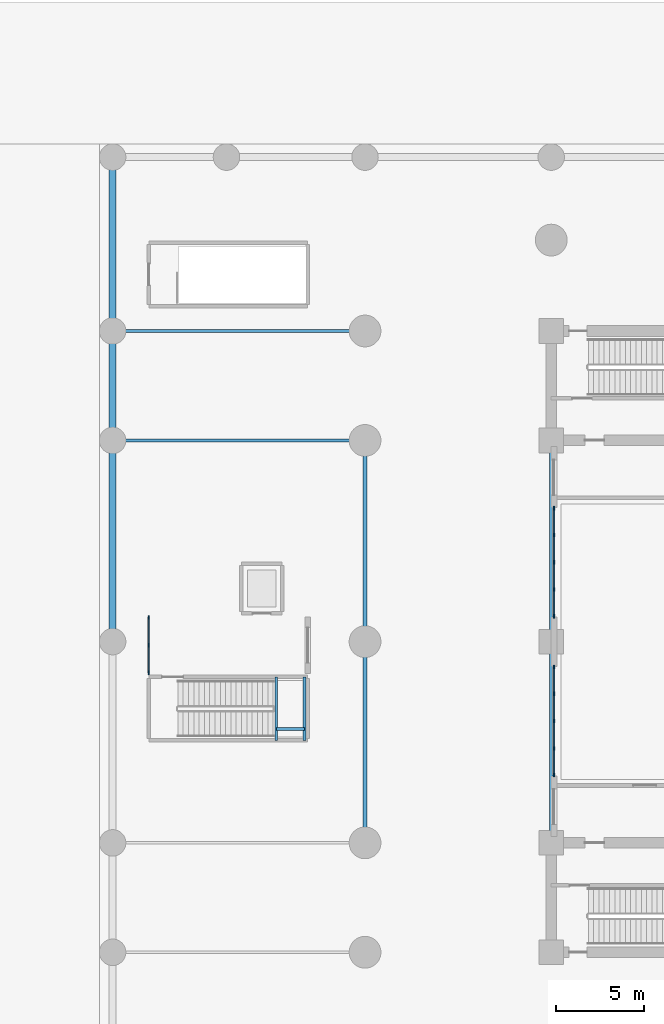
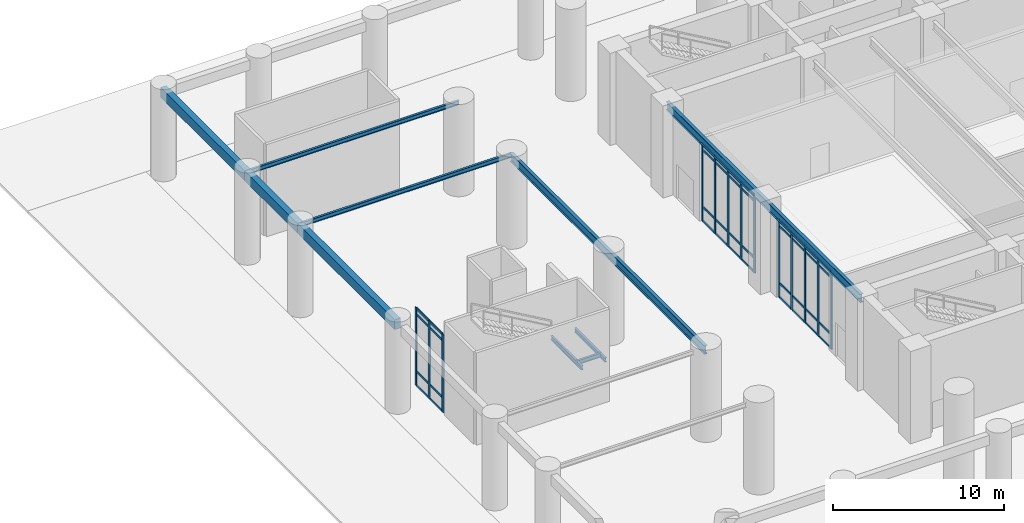
# One storey, part 2 of 16: 53 members, 10 beams, 3 elements without a shape of their own.
"""IFC4 building model written with IfcOpenShell, lengths in metres."""

from ifc_helpers import new_model, si_unit, direction, frame, origin, origin_2d, place, context, subcontext, project, spatial, rectangle, i_section, extrude, material, material_profile, profile_set, type_object, element, aggregate, save


model = new_model("IFC4")

# Units and contexts
model_context = context("Model", 3, precision=1e-05, world=origin(), true_north=direction((0.0, 1.0)))
body_context = subcontext(model_context, "Body", "Model", "MODEL_VIEW")
ifc_project = project(units=[si_unit("LENGTHUNIT", "METRE"), si_unit("AREAUNIT", "SQUARE_METRE"), si_unit("VOLUMEUNIT", "CUBIC_METRE"), si_unit("PLANEANGLEUNIT", "RADIAN"), si_unit("MASSUNIT", "GRAM", prefix="KILO")], contexts=[model_context])

# Site, building, storey
site_placement = place(None, origin())
site = spatial("IfcSite", under=ifc_project, at=site_placement, CompositionType="ELEMENT")
building_placement = place(site_placement, origin())
building = spatial("IfcBuilding", under=site, at=building_placement, Name="Svetorya Sky Lyceum", CompositionType="ELEMENT")
storey_placement = place(building_placement, origin())
storey = spatial("IfcBuildingStorey", under=building, at=storey_placement, Name="L00", CompositionType="ELEMENT", Elevation=0.0)

# Beams
ifc_material_1 = material(Name="Concrete C50/60", Category="concrete")
ifc_material_profile_1 = material_profile(ifc_material_1, rectangle(XDim=0.39990234375, YDim=0.699951171875, at=origin_2d()), Name="RC SPANDREL 400x700")
ifc_profile_set_1 = profile_set([ifc_material_profile_1], Name="Concrete C50/60")
beam_type_1 = type_object("IfcBeamType", Name="BM-SPN-700", PredefinedType="SPANDREL", material=ifc_profile_set_1)
beam_1_placement = place(storey_placement, frame((0.75, 28.199951171875, 5.949951171875), z_axis=(0.0, 1.0, 0.0), x_axis=(-1.0, 0.0, 0.0)))
element("IfcBeam", 1, at=beam_1_placement, inside=storey, type_object=beam_type_1, Name="L00 Podium West Spandrel 4", PredefinedType="SPANDREL", context=body_context, shape_type="SweptSolid", body=[
    extrude(rectangle(XDim=0.39990234375, YDim=0.699951171875, at=origin_2d()), origin(), (0.0, 0.0, 1.0), 11.400146484375),
])
beam_2_placement = place(storey_placement, frame((0.75, 39.60009765625, 5.949951171875), z_axis=(0.0, 1.0, 0.0), x_axis=(-1.0, 0.0, 0.0)))
element("IfcBeam", 2, at=beam_2_placement, inside=storey, type_object=beam_type_1, Name="L00 Podium West Spandrel 5", PredefinedType="SPANDREL", context=body_context, shape_type="SweptSolid", body=[
    extrude(rectangle(XDim=0.39990234375, YDim=0.699951171875, at=origin_2d()), origin(), (0.0, 0.0, 1.0), 6.199951171875),
])
beam_3_placement = place(storey_placement, frame((0.75, 45.800048828125, 5.949951171875), z_axis=(0.0, 1.0, 0.0), x_axis=(-1.0, 0.0, 0.0)))
element("IfcBeam", 3, at=beam_3_placement, inside=storey, type_object=beam_type_1, Name="L00 Podium West Spandrel 6", PredefinedType="SPANDREL", context=body_context, shape_type="SweptSolid", body=[
    extrude(rectangle(XDim=0.39990234375, YDim=0.699951171875, at=origin_2d()), origin(), (0.0, 0.0, 1.0), 9.849853515625),
])
ifc_material_2 = material(Name="Steel S355", Category="steel")
ifc_material_profile_2 = material_profile(ifc_material_2, i_section(OverallWidth=0.14990234375, OverallDepth=0.299072265625, WebThickness=0.006591796875, FlangeThickness=0.010498046875, at=origin_2d()), Name="GOST 30B2")
ifc_profile_set_2 = profile_set([ifc_material_profile_2], Name="Steel S355")
beam_type_2 = type_object("IfcBeamType", Name="BM-STL-30B2", PredefinedType="JOIST", material=ifc_profile_set_2)
for number, where, z_axis, x_axis, name in (
    (4, (0.75, 39.60009765625, 6.150390625), (1.0, 0.0, 0.0), (0.0, 1.0, 0.0), "L00 Podium Wing Joist W3"),
    (5, (0.75, 45.800048828125, 6.150390625), (1.0, 0.0, 0.0), (0.0, 1.0, 0.0), "L00 Podium Wing Joist W4"),
):
    element("IfcBeam", number, at=place(storey_placement, frame(where, z_axis=z_axis, x_axis=x_axis)), inside=storey, type_object=beam_type_2, Name=name, PredefinedType="JOIST", context=body_context, shape_type="SweptSolid", body=[
        extrude(i_section(OverallWidth=0.14990234375, OverallDepth=0.299072265625, WebThickness=0.006591796875, FlangeThickness=0.010498046875, at=origin_2d()), origin(), (0.0, 0.0, 1.0), 14.300048828125),
    ])
for number, where, z_axis, x_axis, name in (
    (6, (10.030029296875, 22.60009765625, 2.950439453125), (0.0, 1.0, 0.0), (-1.0, 0.0, 0.0), "L00 Stair ST-SCH-W Half-Landing Support Beam 1.1"),
    (7, (11.6201171875, 22.60009765625, 2.950439453125), (0.0, 1.0, 0.0), (-1.0, 0.0, 0.0), "L00 Stair ST-SCH-W Half-Landing Support Beam 1.2"),
):
    element("IfcBeam", number, at=place(storey_placement, frame(where, z_axis=z_axis, x_axis=x_axis)), inside=storey, type_object=beam_type_2, Name=name, PredefinedType="JOIST", context=body_context, shape_type="SweptSolid", body=[
        extrude(i_section(OverallWidth=0.14990234375, OverallDepth=0.299072265625, WebThickness=0.006591796875, FlangeThickness=0.010498046875, at=origin_2d()), origin(), (0.0, 0.0, 1.0), 3.599853515625),
    ])
beam_4_placement = place(storey_placement, frame((10.030029296875, 23.25, 2.950439453125), z_axis=(1.0, 0.0, 0.0), x_axis=(0.0, 1.0, 0.0)))
element("IfcBeam", 8, at=beam_4_placement, inside=storey, type_object=beam_type_2, Name="L00 Stair ST-SCH-W Half-Landing Cross Tie 1", PredefinedType="JOIST", context=body_context, shape_type="SweptSolid", body=[
    extrude(i_section(OverallWidth=0.14990234375, OverallDepth=0.299072265625, WebThickness=0.006591796875, FlangeThickness=0.010498046875, at=origin_2d()), origin(), (0.0, 0.0, 1.0), 1.590087890625),
])
ifc_material_profile_3 = material_profile(ifc_material_2, i_section(OverallWidth=0.215087890625, OverallDepth=0.60009765625, WebThickness=0.011962890625, FlangeThickness=0.01904296875, at=origin_2d()), Name="GOST 60B2")
ifc_profile_set_3 = profile_set([ifc_material_profile_3], Name="Steel S355")
beam_type_3 = type_object("IfcBeamType", Name="BM-STL-60B2", PredefinedType="BEAM", material=ifc_profile_set_3)
for number, where, z_axis, x_axis, name in (
    (9, (15.050048828125, 16.800048828125, 6.0), (0.0, 1.0, 0.0), (-1.0, 0.0, 0.0), "L00 Lyceum Hall Steel Girder HG-1"),
    (10, (25.60009765625, 16.800048828125, 6.0), (0.0, 1.0, 0.0), (-1.0, 0.0, 0.0), "L00 Lyceum Hall Steel Girder HG-2"),
):
    element("IfcBeam", number, at=place(storey_placement, frame(where, z_axis=z_axis, x_axis=x_axis)), inside=storey, type_object=beam_type_3, Name=name, PredefinedType="BEAM", context=body_context, shape_type="SweptSolid", body=[
        extrude(i_section(OverallWidth=0.215087890625, OverallDepth=0.60009765625, WebThickness=0.011962890625, FlangeThickness=0.01904296875, at=origin_2d()), origin(), (0.0, 0.0, 1.0), 22.800048828125),
    ])

# Curtain wall, members
ifc_material_3 = material(Name="Thermally broken anodized aluminium and triple low-E glass", Category="aluminium")
curtain_wall_type = type_object("IfcCurtainWallType", Name="CW1-POD-FOY", PredefinedType="NOTDEFINED", material=ifc_material_3)
curtain_wall_1_placement = place(storey_placement, origin())
curtain_wall_1 = element("IfcCurtainWall", 11, at=curtain_wall_1_placement, inside=storey, type_object=curtain_wall_type, Name="Pilotis Foyer Curtain Wall CW-1.W1", PredefinedType="NOTDEFINED")
ifc_material_4 = material(Name="Thermally broken anodized aluminium EN AW-6060", Category="aluminium")
ifc_material_profile_4 = material_profile(ifc_material_4, rectangle(XDim=0.074951171875, YDim=0.2099609375, at=origin_2d()), Name="ALU MULLION 75x210")
ifc_profile_set_4 = profile_set([ifc_material_profile_4], Name="Thermally broken anodized aluminium EN AW-6060")
member_type_1 = type_object("IfcMemberType", Name="CWM-MUL-210", PredefinedType="MULLION", material=ifc_profile_set_4)
member_1_placement = place(storey_placement, frame((25.75, 20.637451171875, 0.0), z_axis=(0.0, 0.0, 1.0), x_axis=(-1.0, 0.0, 0.0)))
member_1 = element("IfcMember", 12, at=member_1_placement, type_object=member_type_1, Name="CW-1 mullion 1", PredefinedType="MULLION", context=body_context, shape_type="SweptSolid", body=[
    extrude(rectangle(XDim=0.074951171875, YDim=0.2099609375, at=origin_2d()), origin(), (0.0, 0.0, 1.0), 5.580078125),
])
member_2_placement = place(storey_placement, frame((25.75, 22.14990234375, 0.0), z_axis=(0.0, 0.0, 1.0), x_axis=(-1.0, 0.0, 0.0)))
member_2 = element("IfcMember", 13, at=member_2_placement, type_object=member_type_1, Name="CW-1 mullion 2", PredefinedType="MULLION", context=body_context, shape_type="SweptSolid", body=[
    extrude(rectangle(XDim=0.074951171875, YDim=0.2099609375, at=origin_2d()), origin(), (0.0, 0.0, 1.0), 5.580078125),
])
member_3_placement = place(storey_placement, frame((25.75, 23.699951171875, 0.0), z_axis=(0.0, 0.0, 1.0), x_axis=(-1.0, 0.0, 0.0)))
member_3 = element("IfcMember", 14, at=member_3_placement, type_object=member_type_1, Name="CW-1 mullion 3", PredefinedType="MULLION", context=body_context, shape_type="SweptSolid", body=[
    extrude(rectangle(XDim=0.074951171875, YDim=0.2099609375, at=origin_2d()), origin(), (0.0, 0.0, 1.0), 5.580078125),
])
member_4_placement = place(storey_placement, frame((25.75, 25.25, 0.0), z_axis=(0.0, 0.0, 1.0), x_axis=(-1.0, 0.0, 0.0)))
member_4 = element("IfcMember", 15, at=member_4_placement, type_object=member_type_1, Name="CW-1 mullion 4", PredefinedType="MULLION", context=body_context, shape_type="SweptSolid", body=[
    extrude(rectangle(XDim=0.074951171875, YDim=0.2099609375, at=origin_2d()), origin(), (0.0, 0.0, 1.0), 5.580078125),
])
member_5_placement = place(storey_placement, frame((25.75, 26.762451171875, 0.0), z_axis=(0.0, 0.0, 1.0), x_axis=(-1.0, 0.0, 0.0)))
member_5 = element("IfcMember", 16, at=member_5_placement, type_object=member_type_1, Name="CW-1 mullion 5", PredefinedType="MULLION", context=body_context, shape_type="SweptSolid", body=[
    extrude(rectangle(XDim=0.074951171875, YDim=0.2099609375, at=origin_2d()), origin(), (0.0, 0.0, 1.0), 5.580078125),
])

curtain_wall_2_placement = place(storey_placement, origin())
curtain_wall_2 = element("IfcCurtainWall", 17, at=curtain_wall_2_placement, inside=storey, type_object=curtain_wall_type, Name="Pilotis Foyer Curtain Wall CW-1.W2", PredefinedType="NOTDEFINED")
member_6_placement = place(storey_placement, frame((25.75, 29.637451171875, 0.0), z_axis=(0.0, 0.0, 1.0), x_axis=(-1.0, 0.0, 0.0)))
member_6 = element("IfcMember", 18, at=member_6_placement, type_object=member_type_1, Name="CW-1 mullion 1", PredefinedType="MULLION", context=body_context, shape_type="SweptSolid", body=[
    extrude(rectangle(XDim=0.074951171875, YDim=0.2099609375, at=origin_2d()), origin(), (0.0, 0.0, 1.0), 5.580078125),
])
member_7_placement = place(storey_placement, frame((25.75, 31.14990234375, 0.0), z_axis=(0.0, 0.0, 1.0), x_axis=(-1.0, 0.0, 0.0)))
member_7 = element("IfcMember", 19, at=member_7_placement, type_object=member_type_1, Name="CW-1 mullion 2", PredefinedType="MULLION", context=body_context, shape_type="SweptSolid", body=[
    extrude(rectangle(XDim=0.074951171875, YDim=0.2099609375, at=origin_2d()), origin(), (0.0, 0.0, 1.0), 5.580078125),
])
member_8_placement = place(storey_placement, frame((25.75, 32.699951171875, 0.0), z_axis=(0.0, 0.0, 1.0), x_axis=(-1.0, 0.0, 0.0)))
member_8 = element("IfcMember", 20, at=member_8_placement, type_object=member_type_1, Name="CW-1 mullion 3", PredefinedType="MULLION", context=body_context, shape_type="SweptSolid", body=[
    extrude(rectangle(XDim=0.074951171875, YDim=0.2099609375, at=origin_2d()), origin(), (0.0, 0.0, 1.0), 5.580078125),
])
member_9_placement = place(storey_placement, frame((25.75, 34.25, 0.0), z_axis=(0.0, 0.0, 1.0), x_axis=(-1.0, 0.0, 0.0)))
member_9 = element("IfcMember", 21, at=member_9_placement, type_object=member_type_1, Name="CW-1 mullion 4", PredefinedType="MULLION", context=body_context, shape_type="SweptSolid", body=[
    extrude(rectangle(XDim=0.074951171875, YDim=0.2099609375, at=origin_2d()), origin(), (0.0, 0.0, 1.0), 5.580078125),
])
member_10_placement = place(storey_placement, frame((25.75, 35.762451171875, 0.0), z_axis=(0.0, 0.0, 1.0), x_axis=(-1.0, 0.0, 0.0)))
member_10 = element("IfcMember", 22, at=member_10_placement, type_object=member_type_1, Name="CW-1 mullion 5", PredefinedType="MULLION", context=body_context, shape_type="SweptSolid", body=[
    extrude(rectangle(XDim=0.074951171875, YDim=0.2099609375, at=origin_2d()), origin(), (0.0, 0.0, 1.0), 5.580078125),
])

curtain_wall_3_placement = place(storey_placement, origin())
curtain_wall_3 = element("IfcCurtainWall", 23, at=curtain_wall_3_placement, inside=storey, type_object=curtain_wall_type, Name="Lyceum Ground Vestibule Curtain Wall W", PredefinedType="NOTDEFINED")
member_11_placement = place(storey_placement, frame((2.800048828125, 26.4375, 0.0), z_axis=(0.0, 0.0, 1.0), x_axis=(-1.0, 0.0, 0.0)))
member_11 = element("IfcMember", 24, at=member_11_placement, type_object=member_type_1, Name="CW-1 mullion 1", PredefinedType="MULLION", context=body_context, shape_type="SweptSolid", body=[
    extrude(rectangle(XDim=0.074951171875, YDim=0.2099609375, at=origin_2d()), origin(), (0.0, 0.0, 1.0), 5.580078125),
])
member_12_placement = place(storey_placement, frame((2.800048828125, 28.0, 0.0), z_axis=(0.0, 0.0, 1.0), x_axis=(-1.0, 0.0, 0.0)))
member_12 = element("IfcMember", 25, at=member_12_placement, type_object=member_type_1, Name="CW-1 mullion 2", PredefinedType="MULLION", context=body_context, shape_type="SweptSolid", body=[
    extrude(rectangle(XDim=0.074951171875, YDim=0.2099609375, at=origin_2d()), origin(), (0.0, 0.0, 1.0), 5.580078125),
])
member_13_placement = place(storey_placement, frame((2.800048828125, 29.5625, 0.0), z_axis=(0.0, 0.0, 1.0), x_axis=(-1.0, 0.0, 0.0)))
member_13 = element("IfcMember", 26, at=member_13_placement, type_object=member_type_1, Name="CW-1 mullion 3", PredefinedType="MULLION", context=body_context, shape_type="SweptSolid", body=[
    extrude(rectangle(XDim=0.074951171875, YDim=0.2099609375, at=origin_2d()), origin(), (0.0, 0.0, 1.0), 5.580078125),
])

# Member
ifc_material_profile_5 = material_profile(ifc_material_4, rectangle(XDim=0.074951171875, YDim=0.159912109375, at=origin_2d()), Name="ALU TRANSOM 75x160")
ifc_profile_set_5 = profile_set([ifc_material_profile_5], Name="Thermally broken anodized aluminium EN AW-6060")
member_type_2 = type_object("IfcMemberType", Name="CWM-TRN-160", PredefinedType="USERDEFINED", material=ifc_profile_set_5)
member_14_placement = place(storey_placement, frame((25.75, 20.673583984375, 0.03759765625), z_axis=(0.0, 1.0, 0.0), x_axis=(-1.0, 0.0, 0.0)))
member_14 = element("IfcMember", 27, at=member_14_placement, type_object=member_type_2, Name="CW-1 transom 1.1", ObjectType="TRANSOM", PredefinedType="USERDEFINED", context=body_context, shape_type="SweptSolid", body=[
    extrude(rectangle(XDim=0.074951171875, YDim=0.159912109375, at=origin_2d()), origin(), (0.0, 0.0, 1.0), 1.4404296875),
])

member_15_placement = place(storey_placement, frame((25.75, 20.673583984375, 1.050048828125), z_axis=(0.0, 1.0, 0.0), x_axis=(-1.0, 0.0, 0.0)))
member_15 = element("IfcMember", 28, at=member_15_placement, type_object=member_type_2, Name="CW-1 transom 1.2", ObjectType="TRANSOM", PredefinedType="USERDEFINED", context=body_context, shape_type="SweptSolid", body=[
    extrude(rectangle(XDim=0.074951171875, YDim=0.159912109375, at=origin_2d()), origin(), (0.0, 0.0, 1.0), 1.4404296875),
])

member_16_placement = place(storey_placement, frame((25.75, 20.673583984375, 5.1298828125), z_axis=(0.0, 1.0, 0.0), x_axis=(-1.0, 0.0, 0.0)))
member_16 = element("IfcMember", 29, at=member_16_placement, type_object=member_type_2, Name="CW-1 transom 1.3", ObjectType="TRANSOM", PredefinedType="USERDEFINED", context=body_context, shape_type="SweptSolid", body=[
    extrude(rectangle(XDim=0.074951171875, YDim=0.159912109375, at=origin_2d()), origin(), (0.0, 0.0, 1.0), 1.4404296875),
])

member_17_placement = place(storey_placement, frame((25.75, 20.673583984375, 5.54248046875), z_axis=(0.0, 1.0, 0.0), x_axis=(-1.0, 0.0, 0.0)))
member_17 = element("IfcMember", 30, at=member_17_placement, type_object=member_type_2, Name="CW-1 transom 1.4", ObjectType="TRANSOM", PredefinedType="USERDEFINED", context=body_context, shape_type="SweptSolid", body=[
    extrude(rectangle(XDim=0.074951171875, YDim=0.159912109375, at=origin_2d()), origin(), (0.0, 0.0, 1.0), 1.4404296875),
])

member_18_placement = place(storey_placement, frame((25.75, 22.18603515625, 0.03759765625), z_axis=(0.0, 1.0, 0.0), x_axis=(-1.0, 0.0, 0.0)))
member_18 = element("IfcMember", 31, at=member_18_placement, type_object=member_type_2, Name="CW-1 transom 2.1", ObjectType="TRANSOM", PredefinedType="USERDEFINED", context=body_context, shape_type="SweptSolid", body=[
    extrude(rectangle(XDim=0.074951171875, YDim=0.159912109375, at=origin_2d()), origin(), (0.0, 0.0, 1.0), 1.47802734375),
])

member_19_placement = place(storey_placement, frame((25.75, 22.18603515625, 1.050048828125), z_axis=(0.0, 1.0, 0.0), x_axis=(-1.0, 0.0, 0.0)))
member_19 = element("IfcMember", 32, at=member_19_placement, type_object=member_type_2, Name="CW-1 transom 2.2", ObjectType="TRANSOM", PredefinedType="USERDEFINED", context=body_context, shape_type="SweptSolid", body=[
    extrude(rectangle(XDim=0.074951171875, YDim=0.159912109375, at=origin_2d()), origin(), (0.0, 0.0, 1.0), 1.47802734375),
])

member_20_placement = place(storey_placement, frame((25.75, 22.18603515625, 5.1298828125), z_axis=(0.0, 1.0, 0.0), x_axis=(-1.0, 0.0, 0.0)))
member_20 = element("IfcMember", 33, at=member_20_placement, type_object=member_type_2, Name="CW-1 transom 2.3", ObjectType="TRANSOM", PredefinedType="USERDEFINED", context=body_context, shape_type="SweptSolid", body=[
    extrude(rectangle(XDim=0.074951171875, YDim=0.159912109375, at=origin_2d()), origin(), (0.0, 0.0, 1.0), 1.47802734375),
])

member_21_placement = place(storey_placement, frame((25.75, 22.18603515625, 5.54248046875), z_axis=(0.0, 1.0, 0.0), x_axis=(-1.0, 0.0, 0.0)))
member_21 = element("IfcMember", 34, at=member_21_placement, type_object=member_type_2, Name="CW-1 transom 2.4", ObjectType="TRANSOM", PredefinedType="USERDEFINED", context=body_context, shape_type="SweptSolid", body=[
    extrude(rectangle(XDim=0.074951171875, YDim=0.159912109375, at=origin_2d()), origin(), (0.0, 0.0, 1.0), 1.47802734375),
])

member_22_placement = place(storey_placement, frame((25.75, 23.736083984375, 0.03759765625), z_axis=(0.0, 1.0, 0.0), x_axis=(-1.0, 0.0, 0.0)))
member_22 = element("IfcMember", 35, at=member_22_placement, type_object=member_type_2, Name="CW-1 transom 3.1", ObjectType="TRANSOM", PredefinedType="USERDEFINED", context=body_context, shape_type="SweptSolid", body=[
    extrude(rectangle(XDim=0.074951171875, YDim=0.159912109375, at=origin_2d()), origin(), (0.0, 0.0, 1.0), 1.47802734375),
])

member_23_placement = place(storey_placement, frame((25.75, 23.736083984375, 1.050048828125), z_axis=(0.0, 1.0, 0.0), x_axis=(-1.0, 0.0, 0.0)))
member_23 = element("IfcMember", 36, at=member_23_placement, type_object=member_type_2, Name="CW-1 transom 3.2", ObjectType="TRANSOM", PredefinedType="USERDEFINED", context=body_context, shape_type="SweptSolid", body=[
    extrude(rectangle(XDim=0.074951171875, YDim=0.159912109375, at=origin_2d()), origin(), (0.0, 0.0, 1.0), 1.47802734375),
])

member_24_placement = place(storey_placement, frame((25.75, 23.736083984375, 5.1298828125), z_axis=(0.0, 1.0, 0.0), x_axis=(-1.0, 0.0, 0.0)))
member_24 = element("IfcMember", 37, at=member_24_placement, type_object=member_type_2, Name="CW-1 transom 3.3", ObjectType="TRANSOM", PredefinedType="USERDEFINED", context=body_context, shape_type="SweptSolid", body=[
    extrude(rectangle(XDim=0.074951171875, YDim=0.159912109375, at=origin_2d()), origin(), (0.0, 0.0, 1.0), 1.47802734375),
])

member_25_placement = place(storey_placement, frame((25.75, 23.736083984375, 5.54248046875), z_axis=(0.0, 1.0, 0.0), x_axis=(-1.0, 0.0, 0.0)))
member_25 = element("IfcMember", 38, at=member_25_placement, type_object=member_type_2, Name="CW-1 transom 3.4", ObjectType="TRANSOM", PredefinedType="USERDEFINED", context=body_context, shape_type="SweptSolid", body=[
    extrude(rectangle(XDim=0.074951171875, YDim=0.159912109375, at=origin_2d()), origin(), (0.0, 0.0, 1.0), 1.47802734375),
])

member_26_placement = place(storey_placement, frame((25.75, 25.285888671875, 0.03759765625), z_axis=(0.0, 1.0, 0.0), x_axis=(-1.0, 0.0, 0.0)))
member_26 = element("IfcMember", 39, at=member_26_placement, type_object=member_type_2, Name="CW-1 transom 4.1", ObjectType="TRANSOM", PredefinedType="USERDEFINED", context=body_context, shape_type="SweptSolid", body=[
    extrude(rectangle(XDim=0.074951171875, YDim=0.159912109375, at=origin_2d()), origin(), (0.0, 0.0, 1.0), 1.440673828125),
])

member_27_placement = place(storey_placement, frame((25.75, 25.285888671875, 1.050048828125), z_axis=(0.0, 1.0, 0.0), x_axis=(-1.0, 0.0, 0.0)))
member_27 = element("IfcMember", 40, at=member_27_placement, type_object=member_type_2, Name="CW-1 transom 4.2", ObjectType="TRANSOM", PredefinedType="USERDEFINED", context=body_context, shape_type="SweptSolid", body=[
    extrude(rectangle(XDim=0.074951171875, YDim=0.159912109375, at=origin_2d()), origin(), (0.0, 0.0, 1.0), 1.440673828125),
])

member_28_placement = place(storey_placement, frame((25.75, 25.285888671875, 5.1298828125), z_axis=(0.0, 1.0, 0.0), x_axis=(-1.0, 0.0, 0.0)))
member_28 = element("IfcMember", 41, at=member_28_placement, type_object=member_type_2, Name="CW-1 transom 4.3", ObjectType="TRANSOM", PredefinedType="USERDEFINED", context=body_context, shape_type="SweptSolid", body=[
    extrude(rectangle(XDim=0.074951171875, YDim=0.159912109375, at=origin_2d()), origin(), (0.0, 0.0, 1.0), 1.440673828125),
])

member_29_placement = place(storey_placement, frame((25.75, 25.285888671875, 5.54248046875), z_axis=(0.0, 1.0, 0.0), x_axis=(-1.0, 0.0, 0.0)))
member_29 = element("IfcMember", 42, at=member_29_placement, type_object=member_type_2, Name="CW-1 transom 4.4", ObjectType="TRANSOM", PredefinedType="USERDEFINED", context=body_context, shape_type="SweptSolid", body=[
    extrude(rectangle(XDim=0.074951171875, YDim=0.159912109375, at=origin_2d()), origin(), (0.0, 0.0, 1.0), 1.440673828125),
])

aggregate(curtain_wall_1, [member_1, member_2, member_3, member_4, member_5, member_14, member_15, member_16, member_17, member_18, member_19, member_20, member_21, member_22, member_23, member_24, member_25, member_26, member_27, member_28, member_29])

member_30_placement = place(storey_placement, frame((25.75, 29.673583984375, 0.03759765625), z_axis=(0.0, 1.0, 0.0), x_axis=(-1.0, 0.0, 0.0)))
member_30 = element("IfcMember", 43, at=member_30_placement, type_object=member_type_2, Name="CW-1 transom 1.1", ObjectType="TRANSOM", PredefinedType="USERDEFINED", context=body_context, shape_type="SweptSolid", body=[
    extrude(rectangle(XDim=0.074951171875, YDim=0.159912109375, at=origin_2d()), origin(), (0.0, 0.0, 1.0), 1.4404296875),
])

member_31_placement = place(storey_placement, frame((25.75, 29.673583984375, 1.050048828125), z_axis=(0.0, 1.0, 0.0), x_axis=(-1.0, 0.0, 0.0)))
member_31 = element("IfcMember", 44, at=member_31_placement, type_object=member_type_2, Name="CW-1 transom 1.2", ObjectType="TRANSOM", PredefinedType="USERDEFINED", context=body_context, shape_type="SweptSolid", body=[
    extrude(rectangle(XDim=0.074951171875, YDim=0.159912109375, at=origin_2d()), origin(), (0.0, 0.0, 1.0), 1.4404296875),
])

member_32_placement = place(storey_placement, frame((25.75, 29.673583984375, 5.1298828125), z_axis=(0.0, 1.0, 0.0), x_axis=(-1.0, 0.0, 0.0)))
member_32 = element("IfcMember", 45, at=member_32_placement, type_object=member_type_2, Name="CW-1 transom 1.3", ObjectType="TRANSOM", PredefinedType="USERDEFINED", context=body_context, shape_type="SweptSolid", body=[
    extrude(rectangle(XDim=0.074951171875, YDim=0.159912109375, at=origin_2d()), origin(), (0.0, 0.0, 1.0), 1.4404296875),
])

member_33_placement = place(storey_placement, frame((25.75, 29.673583984375, 5.54248046875), z_axis=(0.0, 1.0, 0.0), x_axis=(-1.0, 0.0, 0.0)))
member_33 = element("IfcMember", 46, at=member_33_placement, type_object=member_type_2, Name="CW-1 transom 1.4", ObjectType="TRANSOM", PredefinedType="USERDEFINED", context=body_context, shape_type="SweptSolid", body=[
    extrude(rectangle(XDim=0.074951171875, YDim=0.159912109375, at=origin_2d()), origin(), (0.0, 0.0, 1.0), 1.4404296875),
])

member_34_placement = place(storey_placement, frame((25.75, 31.18603515625, 0.03759765625), z_axis=(0.0, 1.0, 0.0), x_axis=(-1.0, 0.0, 0.0)))
member_34 = element("IfcMember", 47, at=member_34_placement, type_object=member_type_2, Name="CW-1 transom 2.1", ObjectType="TRANSOM", PredefinedType="USERDEFINED", context=body_context, shape_type="SweptSolid", body=[
    extrude(rectangle(XDim=0.074951171875, YDim=0.159912109375, at=origin_2d()), origin(), (0.0, 0.0, 1.0), 1.47802734375),
])

member_35_placement = place(storey_placement, frame((25.75, 31.18603515625, 1.050048828125), z_axis=(0.0, 1.0, 0.0), x_axis=(-1.0, 0.0, 0.0)))
member_35 = element("IfcMember", 48, at=member_35_placement, type_object=member_type_2, Name="CW-1 transom 2.2", ObjectType="TRANSOM", PredefinedType="USERDEFINED", context=body_context, shape_type="SweptSolid", body=[
    extrude(rectangle(XDim=0.074951171875, YDim=0.159912109375, at=origin_2d()), origin(), (0.0, 0.0, 1.0), 1.47802734375),
])

member_36_placement = place(storey_placement, frame((25.75, 31.18603515625, 5.1298828125), z_axis=(0.0, 1.0, 0.0), x_axis=(-1.0, 0.0, 0.0)))
member_36 = element("IfcMember", 49, at=member_36_placement, type_object=member_type_2, Name="CW-1 transom 2.3", ObjectType="TRANSOM", PredefinedType="USERDEFINED", context=body_context, shape_type="SweptSolid", body=[
    extrude(rectangle(XDim=0.074951171875, YDim=0.159912109375, at=origin_2d()), origin(), (0.0, 0.0, 1.0), 1.47802734375),
])

member_37_placement = place(storey_placement, frame((25.75, 31.18603515625, 5.54248046875), z_axis=(0.0, 1.0, 0.0), x_axis=(-1.0, 0.0, 0.0)))
member_37 = element("IfcMember", 50, at=member_37_placement, type_object=member_type_2, Name="CW-1 transom 2.4", ObjectType="TRANSOM", PredefinedType="USERDEFINED", context=body_context, shape_type="SweptSolid", body=[
    extrude(rectangle(XDim=0.074951171875, YDim=0.159912109375, at=origin_2d()), origin(), (0.0, 0.0, 1.0), 1.47802734375),
])

member_38_placement = place(storey_placement, frame((25.75, 32.736083984375, 0.03759765625), z_axis=(0.0, 1.0, 0.0), x_axis=(-1.0, 0.0, 0.0)))
member_38 = element("IfcMember", 51, at=member_38_placement, type_object=member_type_2, Name="CW-1 transom 3.1", ObjectType="TRANSOM", PredefinedType="USERDEFINED", context=body_context, shape_type="SweptSolid", body=[
    extrude(rectangle(XDim=0.074951171875, YDim=0.159912109375, at=origin_2d()), origin(), (0.0, 0.0, 1.0), 1.47802734375),
])

member_39_placement = place(storey_placement, frame((25.75, 32.736083984375, 1.050048828125), z_axis=(0.0, 1.0, 0.0), x_axis=(-1.0, 0.0, 0.0)))
member_39 = element("IfcMember", 52, at=member_39_placement, type_object=member_type_2, Name="CW-1 transom 3.2", ObjectType="TRANSOM", PredefinedType="USERDEFINED", context=body_context, shape_type="SweptSolid", body=[
    extrude(rectangle(XDim=0.074951171875, YDim=0.159912109375, at=origin_2d()), origin(), (0.0, 0.0, 1.0), 1.47802734375),
])

member_40_placement = place(storey_placement, frame((25.75, 32.736083984375, 5.1298828125), z_axis=(0.0, 1.0, 0.0), x_axis=(-1.0, 0.0, 0.0)))
member_40 = element("IfcMember", 53, at=member_40_placement, type_object=member_type_2, Name="CW-1 transom 3.3", ObjectType="TRANSOM", PredefinedType="USERDEFINED", context=body_context, shape_type="SweptSolid", body=[
    extrude(rectangle(XDim=0.074951171875, YDim=0.159912109375, at=origin_2d()), origin(), (0.0, 0.0, 1.0), 1.47802734375),
])

member_41_placement = place(storey_placement, frame((25.75, 32.736083984375, 5.54248046875), z_axis=(0.0, 1.0, 0.0), x_axis=(-1.0, 0.0, 0.0)))
member_41 = element("IfcMember", 54, at=member_41_placement, type_object=member_type_2, Name="CW-1 transom 3.4", ObjectType="TRANSOM", PredefinedType="USERDEFINED", context=body_context, shape_type="SweptSolid", body=[
    extrude(rectangle(XDim=0.074951171875, YDim=0.159912109375, at=origin_2d()), origin(), (0.0, 0.0, 1.0), 1.47802734375),
])

member_42_placement = place(storey_placement, frame((25.75, 34.285888671875, 0.03759765625), z_axis=(0.0, 1.0, 0.0), x_axis=(-1.0, 0.0, 0.0)))
member_42 = element("IfcMember", 55, at=member_42_placement, type_object=member_type_2, Name="CW-1 transom 4.1", ObjectType="TRANSOM", PredefinedType="USERDEFINED", context=body_context, shape_type="SweptSolid", body=[
    extrude(rectangle(XDim=0.074951171875, YDim=0.159912109375, at=origin_2d()), origin(), (0.0, 0.0, 1.0), 1.440673828125),
])

member_43_placement = place(storey_placement, frame((25.75, 34.285888671875, 1.050048828125), z_axis=(0.0, 1.0, 0.0), x_axis=(-1.0, 0.0, 0.0)))
member_43 = element("IfcMember", 56, at=member_43_placement, type_object=member_type_2, Name="CW-1 transom 4.2", ObjectType="TRANSOM", PredefinedType="USERDEFINED", context=body_context, shape_type="SweptSolid", body=[
    extrude(rectangle(XDim=0.074951171875, YDim=0.159912109375, at=origin_2d()), origin(), (0.0, 0.0, 1.0), 1.440673828125),
])

member_44_placement = place(storey_placement, frame((25.75, 34.285888671875, 5.1298828125), z_axis=(0.0, 1.0, 0.0), x_axis=(-1.0, 0.0, 0.0)))
member_44 = element("IfcMember", 57, at=member_44_placement, type_object=member_type_2, Name="CW-1 transom 4.3", ObjectType="TRANSOM", PredefinedType="USERDEFINED", context=body_context, shape_type="SweptSolid", body=[
    extrude(rectangle(XDim=0.074951171875, YDim=0.159912109375, at=origin_2d()), origin(), (0.0, 0.0, 1.0), 1.440673828125),
])

member_45_placement = place(storey_placement, frame((25.75, 34.285888671875, 5.54248046875), z_axis=(0.0, 1.0, 0.0), x_axis=(-1.0, 0.0, 0.0)))
member_45 = element("IfcMember", 58, at=member_45_placement, type_object=member_type_2, Name="CW-1 transom 4.4", ObjectType="TRANSOM", PredefinedType="USERDEFINED", context=body_context, shape_type="SweptSolid", body=[
    extrude(rectangle(XDim=0.074951171875, YDim=0.159912109375, at=origin_2d()), origin(), (0.0, 0.0, 1.0), 1.440673828125),
])

aggregate(curtain_wall_2, [member_6, member_7, member_8, member_9, member_10, member_30, member_31, member_32, member_33, member_34, member_35, member_36, member_37, member_38, member_39, member_40, member_41, member_42, member_43, member_44, member_45])

member_46_placement = place(storey_placement, frame((2.800048828125, 26.473388671875, 0.03759765625), z_axis=(0.0, 1.0, 0.0), x_axis=(-1.0, 0.0, 0.0)))
member_46 = element("IfcMember", 59, at=member_46_placement, type_object=member_type_2, Name="CW-1 transom 1.1", ObjectType="TRANSOM", PredefinedType="USERDEFINED", context=body_context, shape_type="SweptSolid", body=[
    extrude(rectangle(XDim=0.074951171875, YDim=0.159912109375, at=origin_2d()), origin(), (0.0, 0.0, 1.0), 1.49072265625),
])

member_47_placement = place(storey_placement, frame((2.800048828125, 26.473388671875, 1.050048828125), z_axis=(0.0, 1.0, 0.0), x_axis=(-1.0, 0.0, 0.0)))
member_47 = element("IfcMember", 60, at=member_47_placement, type_object=member_type_2, Name="CW-1 transom 1.2", ObjectType="TRANSOM", PredefinedType="USERDEFINED", context=body_context, shape_type="SweptSolid", body=[
    extrude(rectangle(XDim=0.074951171875, YDim=0.159912109375, at=origin_2d()), origin(), (0.0, 0.0, 1.0), 1.49072265625),
])

member_48_placement = place(storey_placement, frame((2.800048828125, 26.473388671875, 5.1298828125), z_axis=(0.0, 1.0, 0.0), x_axis=(-1.0, 0.0, 0.0)))
member_48 = element("IfcMember", 61, at=member_48_placement, type_object=member_type_2, Name="CW-1 transom 1.3", ObjectType="TRANSOM", PredefinedType="USERDEFINED", context=body_context, shape_type="SweptSolid", body=[
    extrude(rectangle(XDim=0.074951171875, YDim=0.159912109375, at=origin_2d()), origin(), (0.0, 0.0, 1.0), 1.49072265625),
])

member_49_placement = place(storey_placement, frame((2.800048828125, 26.473388671875, 5.54248046875), z_axis=(0.0, 1.0, 0.0), x_axis=(-1.0, 0.0, 0.0)))
member_49 = element("IfcMember", 62, at=member_49_placement, type_object=member_type_2, Name="CW-1 transom 1.4", ObjectType="TRANSOM", PredefinedType="USERDEFINED", context=body_context, shape_type="SweptSolid", body=[
    extrude(rectangle(XDim=0.074951171875, YDim=0.159912109375, at=origin_2d()), origin(), (0.0, 0.0, 1.0), 1.49072265625),
])

member_50_placement = place(storey_placement, frame((2.800048828125, 28.035888671875, 0.03759765625), z_axis=(0.0, 1.0, 0.0), x_axis=(-1.0, 0.0, 0.0)))
member_50 = element("IfcMember", 63, at=member_50_placement, type_object=member_type_2, Name="CW-1 transom 2.1", ObjectType="TRANSOM", PredefinedType="USERDEFINED", context=body_context, shape_type="SweptSolid", body=[
    extrude(rectangle(XDim=0.074951171875, YDim=0.159912109375, at=origin_2d()), origin(), (0.0, 0.0, 1.0), 1.49072265625),
])

member_51_placement = place(storey_placement, frame((2.800048828125, 28.035888671875, 1.050048828125), z_axis=(0.0, 1.0, 0.0), x_axis=(-1.0, 0.0, 0.0)))
member_51 = element("IfcMember", 64, at=member_51_placement, type_object=member_type_2, Name="CW-1 transom 2.2", ObjectType="TRANSOM", PredefinedType="USERDEFINED", context=body_context, shape_type="SweptSolid", body=[
    extrude(rectangle(XDim=0.074951171875, YDim=0.159912109375, at=origin_2d()), origin(), (0.0, 0.0, 1.0), 1.49072265625),
])

member_52_placement = place(storey_placement, frame((2.800048828125, 28.035888671875, 5.1298828125), z_axis=(0.0, 1.0, 0.0), x_axis=(-1.0, 0.0, 0.0)))
member_52 = element("IfcMember", 65, at=member_52_placement, type_object=member_type_2, Name="CW-1 transom 2.3", ObjectType="TRANSOM", PredefinedType="USERDEFINED", context=body_context, shape_type="SweptSolid", body=[
    extrude(rectangle(XDim=0.074951171875, YDim=0.159912109375, at=origin_2d()), origin(), (0.0, 0.0, 1.0), 1.49072265625),
])

member_53_placement = place(storey_placement, frame((2.800048828125, 28.035888671875, 5.54248046875), z_axis=(0.0, 1.0, 0.0), x_axis=(-1.0, 0.0, 0.0)))
member_53 = element("IfcMember", 66, at=member_53_placement, type_object=member_type_2, Name="CW-1 transom 2.4", ObjectType="TRANSOM", PredefinedType="USERDEFINED", context=body_context, shape_type="SweptSolid", body=[
    extrude(rectangle(XDim=0.074951171875, YDim=0.159912109375, at=origin_2d()), origin(), (0.0, 0.0, 1.0), 1.49072265625),
])

aggregate(curtain_wall_3, [member_11, member_12, member_13, member_46, member_47, member_48, member_49, member_50, member_51, member_52, member_53])

save(model, "model.ifc")
